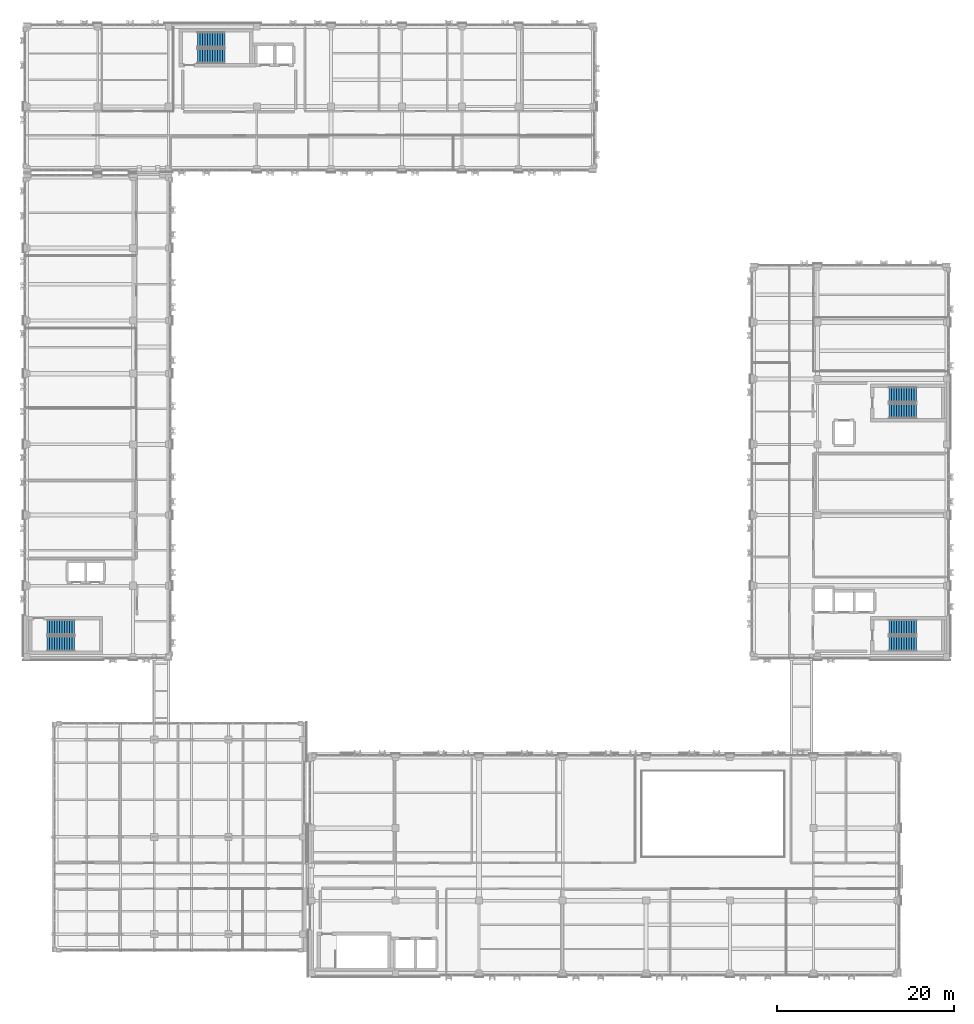
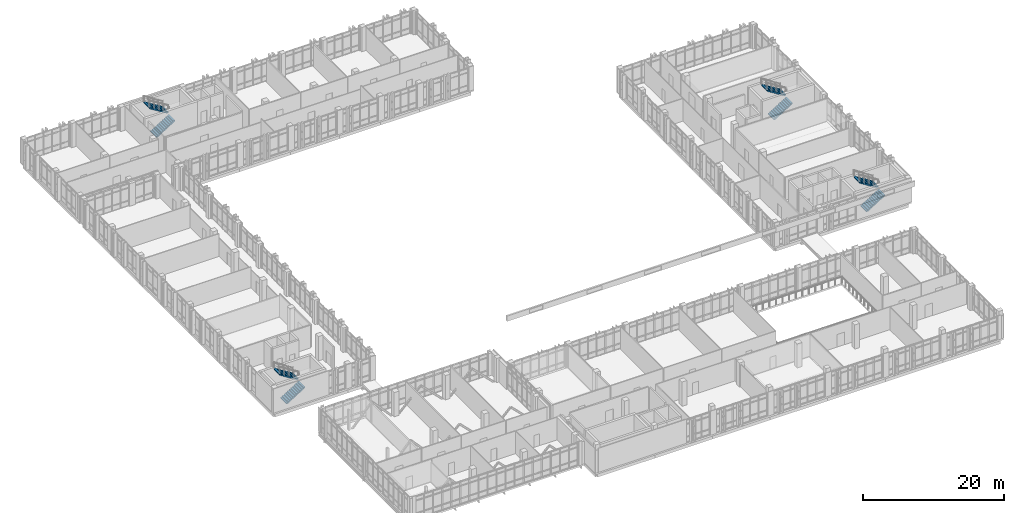
# One storey, part 136 of 158: 8 stair flights, 4 elements without a shape of their own.
"""IFC4 building model written with IfcOpenShell, lengths in metres."""

from ifc_helpers import new_model, si_unit, direction, frame, origin, place, context, subcontext, project, spatial, polyline, outline, extrude, material, type_object, element, aggregate, save


model = new_model("IFC4")

# Units and contexts
model_context = context("Model", 3, precision=1e-05, world=origin(), true_north=direction((0.0, 1.0)))
body_context = subcontext(model_context, "Body", "Model", "MODEL_VIEW")
ifc_project = project(units=[si_unit("LENGTHUNIT", "METRE"), si_unit("AREAUNIT", "SQUARE_METRE"), si_unit("VOLUMEUNIT", "CUBIC_METRE"), si_unit("PLANEANGLEUNIT", "RADIAN"), si_unit("MASSUNIT", "GRAM", prefix="KILO")], contexts=[model_context])

# Site, building, storey
site_placement = place(None, origin())
site = spatial("IfcSite", under=ifc_project, at=site_placement, CompositionType="ELEMENT")
building_placement = place(site_placement, origin())
building = spatial("IfcBuilding", under=site, at=building_placement, Name="Qalavern Law Courts", CompositionType="ELEMENT")
storey_placement = place(building_placement, frame((0.0, 0.0, 18.60009765625)))
storey = spatial("IfcBuildingStorey", under=building, at=storey_placement, Name="L04", CompositionType="ELEMENT", Elevation=18.60009765625)

# Stair, stair flights
ifc_material = material(Name="Concrete C35/45", Category="concrete")
stair_type = type_object("IfcStairType", Name="INT-STAIR-1700", PredefinedType="HALF_TURN_STAIR", material=ifc_material)
stair_1_placement = place(storey_placement, origin())
stair_1 = element("IfcStair", 1, at=stair_1_placement, inside=storey, type_object=stair_type, Name="L04 ST-K1A", PredefinedType="HALF_TURN_STAIR")
stair_flight_type = type_object("IfcStairFlightType", Name="INT-FLIGHT-1700", PredefinedType="STRAIGHT", material=ifc_material)
stair_flight_1_placement = place(storey_placement, frame((99.89990234375, 42.85009765625, 0.0), z_axis=(0.0, 0.0, 1.0), x_axis=(1.0, 0.0, 0.0)))
stair_flight_1 = element("IfcStairFlight", 2, at=stair_flight_1_placement, type_object=stair_flight_type, Name="ST-K1A flight 1", NumberOfRisers=12, NumberOfTreads=11, PredefinedType="STRAIGHT", RiserHeight=0.175, TreadLength=0.28, context=body_context, shape_type="SweptSolid", body=[
    extrude(outline(polyline([(0.0, 0.0), (0.0, 0.175048828125), (0.280029296875, 0.175048828125), (0.280029296875, 0.35009765625), (0.56005859375, 0.35009765625), (0.56005859375, 0.52490234375), (0.840087890625, 0.52490234375), (0.840087890625, 0.699951171875), (1.1201171875, 0.699951171875), (1.1201171875, 0.875), (1.39990234375, 0.875), (1.39990234375, 1.050048828125), (1.679931640625, 1.050048828125), (1.679931640625, 1.22509765625), (1.9599609375, 1.22509765625), (1.9599609375, 1.39990234375), (2.239990234375, 1.39990234375), (2.239990234375, 1.574951171875), (2.52001953125, 1.574951171875), (2.52001953125, 1.75), (2.800048828125, 1.75), (2.800048828125, 1.925048828125), (3.080078125, 1.925048828125), (3.080078125, 2.10009765625), (3.080078125, 1.748291015625), (0.28271484375, 0.0), (0.0, 0.0)])), frame((0.0, 0.85009765625, 0.0), z_axis=(0.0, -1.0, 0.0), x_axis=(1.0, 0.0, 0.0)), (0.0, 0.0, 1.0), 1.699951171875),
])
stair_flight_2_placement = place(storey_placement, frame((102.97998046875, 44.699951171875, 2.099853515625), z_axis=(0.0, 0.0, 1.0), x_axis=(-1.0, 0.0, 0.0)))
stair_flight_2 = element("IfcStairFlight", 3, at=stair_flight_2_placement, type_object=stair_flight_type, Name="ST-K1A flight 2", NumberOfRisers=12, NumberOfTreads=11, PredefinedType="STRAIGHT", RiserHeight=0.175, TreadLength=0.28, context=body_context, shape_type="SweptSolid", body=[
    extrude(outline(polyline([(0.0, 0.0), (0.0, 0.175048828125), (0.280029296875, 0.175048828125), (0.280029296875, 0.35009765625), (0.56005859375, 0.35009765625), (0.56005859375, 0.52490234375), (0.840087890625, 0.52490234375), (0.840087890625, 0.699951171875), (1.1201171875, 0.699951171875), (1.1201171875, 0.875), (1.39990234375, 0.875), (1.39990234375, 1.050048828125), (1.679931640625, 1.050048828125), (1.679931640625, 1.22509765625), (1.9599609375, 1.22509765625), (1.9599609375, 1.39990234375), (2.239990234375, 1.39990234375), (2.239990234375, 1.574951171875), (2.52001953125, 1.574951171875), (2.52001953125, 1.75), (2.800048828125, 1.75), (2.800048828125, 1.925048828125), (3.080078125, 1.925048828125), (3.080078125, 2.10009765625), (3.080078125, 1.748291015625), (0.28271484375, 0.0), (0.0, 0.0)])), frame((0.0, 0.85009765625, 0.0), z_axis=(0.0, -1.0, 0.0), x_axis=(1.0, 0.0, 0.0)), (0.0, 0.0, 1.0), 1.699951171875),
])
aggregate(stair_1, [stair_flight_1, stair_flight_2])

stair_2_placement = place(storey_placement, origin())
stair_2 = element("IfcStair", 4, at=stair_2_placement, inside=storey, type_object=stair_type, Name="L04 ST-K1B", PredefinedType="HALF_TURN_STAIR")
stair_flight_3_placement = place(storey_placement, frame((99.89990234375, 69.14990234375, 0.0), z_axis=(0.0, 0.0, 1.0), x_axis=(1.0, 0.0, 0.0)))
stair_flight_3 = element("IfcStairFlight", 5, at=stair_flight_3_placement, type_object=stair_flight_type, Name="ST-K1B flight 1", NumberOfRisers=12, NumberOfTreads=11, PredefinedType="STRAIGHT", RiserHeight=0.175, TreadLength=0.28, context=body_context, shape_type="SweptSolid", body=[
    extrude(outline(polyline([(0.0, 0.0), (0.0, 0.175048828125), (0.280029296875, 0.175048828125), (0.280029296875, 0.35009765625), (0.56005859375, 0.35009765625), (0.56005859375, 0.52490234375), (0.840087890625, 0.52490234375), (0.840087890625, 0.699951171875), (1.1201171875, 0.699951171875), (1.1201171875, 0.875), (1.39990234375, 0.875), (1.39990234375, 1.050048828125), (1.679931640625, 1.050048828125), (1.679931640625, 1.22509765625), (1.9599609375, 1.22509765625), (1.9599609375, 1.39990234375), (2.239990234375, 1.39990234375), (2.239990234375, 1.574951171875), (2.52001953125, 1.574951171875), (2.52001953125, 1.75), (2.800048828125, 1.75), (2.800048828125, 1.925048828125), (3.080078125, 1.925048828125), (3.080078125, 2.10009765625), (3.080078125, 1.748291015625), (0.28271484375, 0.0), (0.0, 0.0)])), frame((0.0, 0.85009765625, 0.0), z_axis=(0.0, -1.0, 0.0), x_axis=(1.0, 0.0, 0.0)), (0.0, 0.0, 1.0), 1.699951171875),
])
stair_flight_4_placement = place(storey_placement, frame((102.97998046875, 71.0, 2.099853515625), z_axis=(0.0, 0.0, 1.0), x_axis=(-1.0, 0.0, 0.0)))
stair_flight_4 = element("IfcStairFlight", 6, at=stair_flight_4_placement, type_object=stair_flight_type, Name="ST-K1B flight 2", NumberOfRisers=12, NumberOfTreads=11, PredefinedType="STRAIGHT", RiserHeight=0.175, TreadLength=0.28, context=body_context, shape_type="SweptSolid", body=[
    extrude(outline(polyline([(0.0, 0.0), (0.0, 0.175048828125), (0.280029296875, 0.175048828125), (0.280029296875, 0.35009765625), (0.56005859375, 0.35009765625), (0.56005859375, 0.52490234375), (0.840087890625, 0.52490234375), (0.840087890625, 0.699951171875), (1.1201171875, 0.699951171875), (1.1201171875, 0.875), (1.39990234375, 0.875), (1.39990234375, 1.050048828125), (1.679931640625, 1.050048828125), (1.679931640625, 1.22509765625), (1.9599609375, 1.22509765625), (1.9599609375, 1.39990234375), (2.239990234375, 1.39990234375), (2.239990234375, 1.574951171875), (2.52001953125, 1.574951171875), (2.52001953125, 1.75), (2.800048828125, 1.75), (2.800048828125, 1.925048828125), (3.080078125, 1.925048828125), (3.080078125, 2.10009765625), (3.080078125, 1.748291015625), (0.28271484375, 0.0), (0.0, 0.0)])), frame((0.0, 0.85009765625, 0.0), z_axis=(0.0, -1.0, 0.0), x_axis=(1.0, 0.0, 0.0)), (0.0, 0.0, 1.0), 1.699951171875),
])
aggregate(stair_2, [stair_flight_3, stair_flight_4])

stair_3_placement = place(storey_placement, origin())
stair_3 = element("IfcStair", 7, at=stair_3_placement, inside=storey, type_object=stair_type, Name="L04 ST-K2", PredefinedType="HALF_TURN_STAIR")
stair_flight_5_placement = place(storey_placement, frame((4.699951171875, 42.85009765625, 0.0), z_axis=(0.0, 0.0, 1.0), x_axis=(1.0, 0.0, 0.0)))
stair_flight_5 = element("IfcStairFlight", 8, at=stair_flight_5_placement, type_object=stair_flight_type, Name="ST-K2 flight 1", NumberOfRisers=12, NumberOfTreads=11, PredefinedType="STRAIGHT", RiserHeight=0.175, TreadLength=0.28, context=body_context, shape_type="SweptSolid", body=[
    extrude(outline(polyline([(0.0, 0.0), (0.0, 0.175048828125), (0.280029296875, 0.175048828125), (0.280029296875, 0.35009765625), (0.56005859375, 0.35009765625), (0.56005859375, 0.52490234375), (0.840087890625, 0.52490234375), (0.840087890625, 0.699951171875), (1.1201171875, 0.699951171875), (1.1201171875, 0.875), (1.39990234375, 0.875), (1.39990234375, 1.050048828125), (1.679931640625, 1.050048828125), (1.679931640625, 1.22509765625), (1.9599609375, 1.22509765625), (1.9599609375, 1.39990234375), (2.239990234375, 1.39990234375), (2.239990234375, 1.574951171875), (2.52001953125, 1.574951171875), (2.52001953125, 1.75), (2.800048828125, 1.75), (2.800048828125, 1.925048828125), (3.080078125, 1.925048828125), (3.080078125, 2.10009765625), (3.080078125, 1.748291015625), (0.28271484375, 0.0), (0.0, 0.0)])), frame((0.0, 0.85009765625, 0.0), z_axis=(0.0, -1.0, 0.0), x_axis=(1.0, 0.0, 0.0)), (0.0, 0.0, 1.0), 1.699951171875),
])
stair_flight_6_placement = place(storey_placement, frame((7.780029296875, 44.699951171875, 2.099853515625), z_axis=(0.0, 0.0, 1.0), x_axis=(-1.0, 0.0, 0.0)))
stair_flight_6 = element("IfcStairFlight", 9, at=stair_flight_6_placement, type_object=stair_flight_type, Name="ST-K2 flight 2", NumberOfRisers=12, NumberOfTreads=11, PredefinedType="STRAIGHT", RiserHeight=0.175, TreadLength=0.28, context=body_context, shape_type="SweptSolid", body=[
    extrude(outline(polyline([(0.0, 0.0), (0.0, 0.175048828125), (0.280029296875, 0.175048828125), (0.280029296875, 0.35009765625), (0.56005859375, 0.35009765625), (0.56005859375, 0.52490234375), (0.840087890625, 0.52490234375), (0.840087890625, 0.699951171875), (1.1201171875, 0.699951171875), (1.1201171875, 0.875), (1.39990234375, 0.875), (1.39990234375, 1.050048828125), (1.679931640625, 1.050048828125), (1.679931640625, 1.22509765625), (1.9599609375, 1.22509765625), (1.9599609375, 1.39990234375), (2.239990234375, 1.39990234375), (2.239990234375, 1.574951171875), (2.52001953125, 1.574951171875), (2.52001953125, 1.75), (2.800048828125, 1.75), (2.800048828125, 1.925048828125), (3.080078125, 1.925048828125), (3.080078125, 2.10009765625), (3.080078125, 1.748291015625), (0.28271484375, 0.0), (0.0, 0.0)])), frame((0.0, 0.85009765625, 0.0), z_axis=(0.0, -1.0, 0.0), x_axis=(1.0, 0.0, 0.0)), (0.0, 0.0, 1.0), 1.699951171875),
])
aggregate(stair_3, [stair_flight_5, stair_flight_6])

stair_4_placement = place(storey_placement, origin())
stair_4 = element("IfcStair", 10, at=stair_4_placement, inside=storey, type_object=stair_type, Name="L04 ST-K3", PredefinedType="HALF_TURN_STAIR")
stair_flight_7_placement = place(storey_placement, frame((21.699951171875, 109.300048828125, 0.0), z_axis=(0.0, 0.0, 1.0), x_axis=(1.0, 0.0, 0.0)))
stair_flight_7 = element("IfcStairFlight", 11, at=stair_flight_7_placement, type_object=stair_flight_type, Name="ST-K3 flight 1", NumberOfRisers=12, NumberOfTreads=11, PredefinedType="STRAIGHT", RiserHeight=0.175, TreadLength=0.28, context=body_context, shape_type="SweptSolid", body=[
    extrude(outline(polyline([(0.0, 0.0), (0.0, 0.175048828125), (0.280029296875, 0.175048828125), (0.280029296875, 0.35009765625), (0.56005859375, 0.35009765625), (0.56005859375, 0.52490234375), (0.840087890625, 0.52490234375), (0.840087890625, 0.699951171875), (1.1201171875, 0.699951171875), (1.1201171875, 0.875), (1.39990234375, 0.875), (1.39990234375, 1.050048828125), (1.679931640625, 1.050048828125), (1.679931640625, 1.22509765625), (1.9599609375, 1.22509765625), (1.9599609375, 1.39990234375), (2.239990234375, 1.39990234375), (2.239990234375, 1.574951171875), (2.52001953125, 1.574951171875), (2.52001953125, 1.75), (2.800048828125, 1.75), (2.800048828125, 1.925048828125), (3.080078125, 1.925048828125), (3.080078125, 2.10009765625), (3.080078125, 1.748291015625), (0.28271484375, 0.0), (0.0, 0.0)])), frame((0.0, 0.85009765625, 0.0), z_axis=(0.0, -1.0, 0.0), x_axis=(1.0, 0.0, 0.0)), (0.0, 0.0, 1.0), 1.699951171875),
])
stair_flight_8_placement = place(storey_placement, frame((24.780029296875, 111.14990234375, 2.099853515625), z_axis=(0.0, 0.0, 1.0), x_axis=(-1.0, 0.0, 0.0)))
stair_flight_8 = element("IfcStairFlight", 12, at=stair_flight_8_placement, type_object=stair_flight_type, Name="ST-K3 flight 2", NumberOfRisers=12, NumberOfTreads=11, PredefinedType="STRAIGHT", RiserHeight=0.175, TreadLength=0.28, context=body_context, shape_type="SweptSolid", body=[
    extrude(outline(polyline([(0.0, 0.0), (0.0, 0.175048828125), (0.280029296875, 0.175048828125), (0.280029296875, 0.35009765625), (0.56005859375, 0.35009765625), (0.56005859375, 0.52490234375), (0.840087890625, 0.52490234375), (0.840087890625, 0.699951171875), (1.1201171875, 0.699951171875), (1.1201171875, 0.875), (1.39990234375, 0.875), (1.39990234375, 1.050048828125), (1.679931640625, 1.050048828125), (1.679931640625, 1.22509765625), (1.9599609375, 1.22509765625), (1.9599609375, 1.39990234375), (2.239990234375, 1.39990234375), (2.239990234375, 1.574951171875), (2.52001953125, 1.574951171875), (2.52001953125, 1.75), (2.800048828125, 1.75), (2.800048828125, 1.925048828125), (3.080078125, 1.925048828125), (3.080078125, 2.10009765625), (3.080078125, 1.748291015625), (0.28271484375, 0.0), (0.0, 0.0)])), frame((0.0, 0.85009765625, 0.0), z_axis=(0.0, -1.0, 0.0), x_axis=(1.0, 0.0, 0.0)), (0.0, 0.0, 1.0), 1.699951171875),
])
aggregate(stair_4, [stair_flight_7, stair_flight_8])

save(model, "model.ifc")
